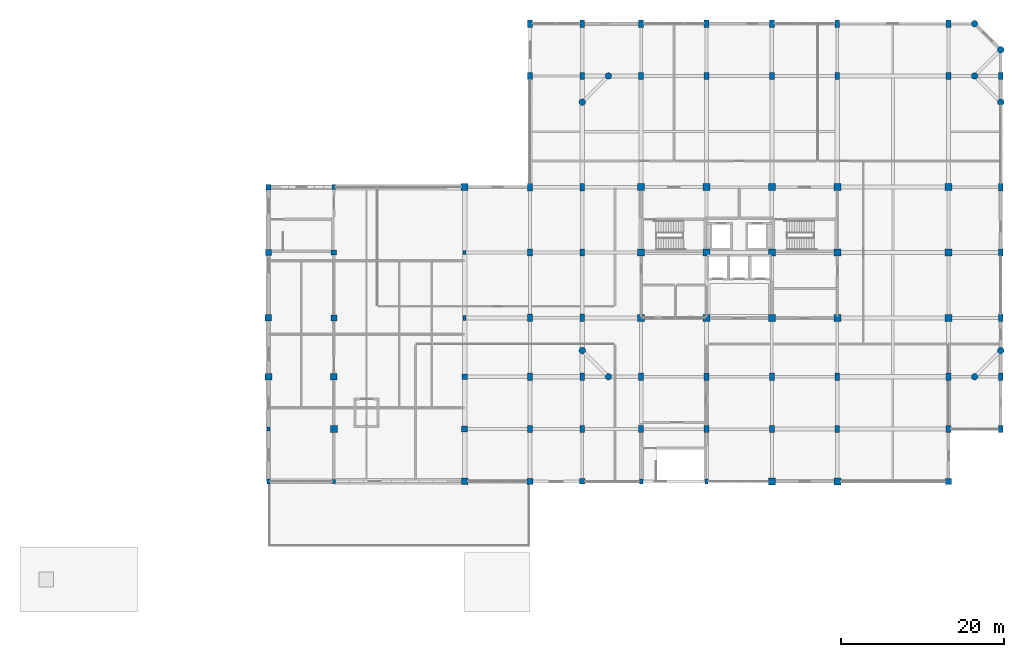
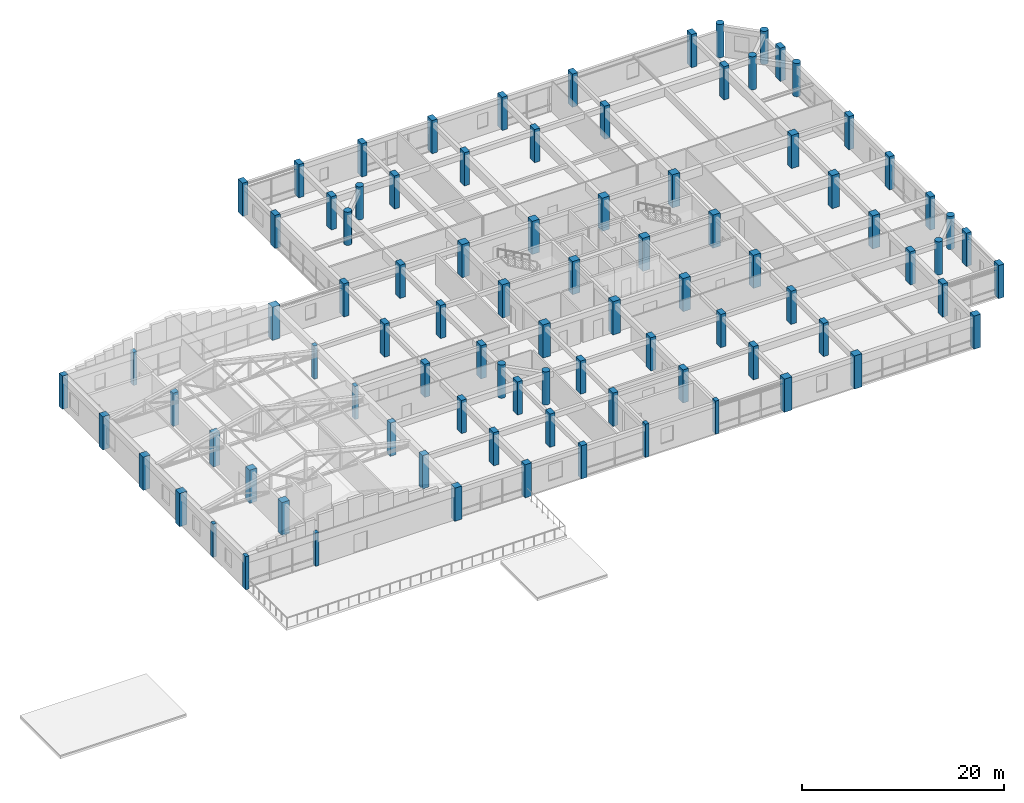
# One storey, part 1 of 27: 90 columns.
"""IFC4 building model written with IfcOpenShell, lengths in metres."""

from ifc_helpers import new_model, si_unit, direction, frame, origin, origin_2d, place, context, subcontext, project, spatial, rectangle, circle, extrude, material, material_profile, profile_set, type_object, element, save


model = new_model("IFC4")

# Units and contexts
model_context = context("Model", 3, precision=1e-05, world=origin(), true_north=direction((0.0, 1.0)))
body_context = subcontext(model_context, "Body", "Model", "MODEL_VIEW")
ifc_project = project(units=[si_unit("LENGTHUNIT", "METRE"), si_unit("AREAUNIT", "SQUARE_METRE"), si_unit("VOLUMEUNIT", "CUBIC_METRE"), si_unit("PLANEANGLEUNIT", "RADIAN"), si_unit("MASSUNIT", "GRAM", prefix="KILO")], contexts=[model_context])

# Site, building, storey
site_placement = place(None, origin())
site = spatial("IfcSite", under=ifc_project, at=site_placement, CompositionType="ELEMENT")
building_placement = place(site_placement, origin())
building = spatial("IfcBuilding", under=site, at=building_placement, Name="Vellmiral Cinema and Media Centre", CompositionType="ELEMENT")
storey_placement = place(building_placement, frame((0.0, 0.0, 19.800048828125)))
storey = spatial("IfcBuildingStorey", under=building, at=storey_placement, Name="L04", CompositionType="ELEMENT", Elevation=19.800048828125)

# Columns
ifc_material_1 = material(Name="Concrete C40/50", Category="concrete")
ifc_material_profile_1 = material_profile(ifc_material_1, rectangle(XDim=0.39990234375, YDim=0.5, at=origin_2d()), Name="RC 400x500")
ifc_profile_set_1 = profile_set([ifc_material_profile_1], Name="Concrete C40/50")
column_type_1 = type_object("IfcColumnType", Name="COL-RC-400x500", PredefinedType="COLUMN", material=ifc_profile_set_1)
for number, where, z_axis, x_axis, name in (
    (1, (78.39990234375, 65.60009765625, 0.0), (0.0, 0.0, 1.0), (1.0, 0.0, 0.0), "Column L04-002"),
    (2, (86.39990234375, 59.199951171875, 0.0), (0.0, 0.0, 1.0), (1.0, 0.0, 0.0), "Column L04-007"),
    (3, (102.39990234375, 87.199951171875, 0.0), (0.0, 0.0, 1.0), (1.0, 0.0, 0.0), "Column L04-017"),
):
    element("IfcColumn", number, at=place(storey_placement, frame(where, z_axis=z_axis, x_axis=x_axis)), inside=storey, type_object=column_type_1, Name=name, PredefinedType="COLUMN", context=body_context, shape_type="SweptSolid", body=[
        extrude(rectangle(XDim=0.39990234375, YDim=0.5, at=origin_2d()), origin(), (0.0, 0.0, 1.0), 4.0),
    ])
ifc_material_2 = material(Name="Concrete C40/50", Category="concrete")
ifc_material_profile_2 = material_profile(ifc_material_2, rectangle(XDim=0.39990234375, YDim=0.60009765625, at=origin_2d()), Name="RC 400x600")
ifc_profile_set_2 = profile_set([ifc_material_profile_2], Name="Concrete C40/50")
column_type_2 = type_object("IfcColumnType", Name="COL-RC-400x600", PredefinedType="COLUMN", material=ifc_profile_set_2)
for number, where, z_axis, x_axis, name in (
    (4, (78.39990234375, 59.199951171875, 0.0), (0.0, 0.0, 1.0), (1.0, 0.0, 0.0), "Column L04-001"),
    (5, (86.39990234375, 95.199951171875, 0.0), (0.0, 0.0, 1.0), (1.0, 0.0, 0.0), "Column L04-012"),
    (6, (102.39990234375, 79.199951171875, 0.0), (0.0, 0.0, 1.0), (1.0, 0.0, 0.0), "Column L04-016"),
    (7, (124.0, 59.199951171875, 0.0), (0.0, 0.0, 1.0), (1.0, 0.0, 0.0), "Column L04-039"),
    (8, (132.0, 59.199951171875, 0.0), (0.0, 0.0, 1.0), (1.0, 0.0, 0.0), "Column L04-047"),
):
    element("IfcColumn", number, at=place(storey_placement, frame(where, z_axis=z_axis, x_axis=x_axis)), inside=storey, type_object=column_type_2, Name=name, PredefinedType="COLUMN", context=body_context, shape_type="SweptSolid", body=[
        extrude(rectangle(XDim=0.39990234375, YDim=0.60009765625, at=origin_2d()), origin(), (0.0, 0.0, 1.0), 4.0),
    ])
ifc_material_3 = material(Name="Concrete C40/50", Category="concrete")
ifc_material_profile_3 = material_profile(ifc_material_3, rectangle(XDim=0.60009765625, YDim=0.89990234375, at=origin_2d()), Name="RC 600x900")
ifc_profile_set_3 = profile_set([ifc_material_profile_3], Name="Concrete C40/50")
column_type_3 = type_object("IfcColumnType", Name="COL-RC-600x900", PredefinedType="COLUMN", material=ifc_profile_set_3)
for number, where, z_axis, x_axis, name in (
    (9, (110.39990234375, 65.60009765625, 0.0), (0.0, 0.0, 1.0), (1.0, 0.0, 0.0), "Column L04-020"),
    (10, (110.39990234375, 72.0, 0.0), (0.0, 0.0, 1.0), (1.0, 0.0, 0.0), "Column L04-021"),
    (11, (110.39990234375, 79.199951171875, 0.0), (0.0, 0.0, 1.0), (1.0, 0.0, 0.0), "Column L04-022"),
    (12, (110.39990234375, 87.199951171875, 0.0), (0.0, 0.0, 1.0), (1.0, 0.0, 0.0), "Column L04-023"),
    (13, (110.39990234375, 95.199951171875, 0.0), (0.0, 0.0, 1.0), (1.0, 0.0, 0.0), "Column L04-024"),
    (14, (110.39990234375, 108.800048828125, 0.0), (0.0, 0.0, 1.0), (1.0, 0.0, 0.0), "Column L04-025"),
    (15, (110.39990234375, 115.199951171875, 0.0), (0.0, 0.0, 1.0), (1.0, 0.0, 0.0), "Column L04-026"),
    (16, (116.800048828125, 65.60009765625, 0.0), (0.0, 0.0, 1.0), (1.0, 0.0, 0.0), "Column L04-028"),
    (17, (116.800048828125, 72.0, 0.0), (0.0, 0.0, 1.0), (1.0, 0.0, 0.0), "Column L04-029"),
    (18, (116.800048828125, 79.199951171875, 0.0), (0.0, 0.0, 1.0), (1.0, 0.0, 0.0), "Column L04-031"),
    (19, (116.800048828125, 87.199951171875, 0.0), (0.0, 0.0, 1.0), (1.0, 0.0, 0.0), "Column L04-032"),
    (20, (116.800048828125, 95.199951171875, 0.0), (0.0, 0.0, 1.0), (1.0, 0.0, 0.0), "Column L04-033"),
    (21, (116.800048828125, 108.800048828125, 0.0), (0.0, 0.0, 1.0), (1.0, 0.0, 0.0), "Column L04-035"),
    (22, (116.800048828125, 115.199951171875, 0.0), (0.0, 0.0, 1.0), (1.0, 0.0, 0.0), "Column L04-036"),
    (23, (124.0, 65.60009765625, 0.0), (0.0, 0.0, 1.0), (1.0, 0.0, 0.0), "Column L04-040"),
    (24, (124.0, 72.0, 0.0), (0.0, 0.0, 1.0), (1.0, 0.0, 0.0), "Column L04-041"),
    (25, (124.0, 108.800048828125, 0.0), (0.0, 0.0, 1.0), (1.0, 0.0, 0.0), "Column L04-045"),
    (26, (124.0, 115.199951171875, 0.0), (0.0, 0.0, 1.0), (1.0, 0.0, 0.0), "Column L04-046"),
    (27, (132.0, 65.60009765625, 0.0), (0.0, 0.0, 1.0), (1.0, 0.0, 0.0), "Column L04-048"),
    (28, (132.0, 72.0, 0.0), (0.0, 0.0, 1.0), (1.0, 0.0, 0.0), "Column L04-049"),
    (29, (132.0, 108.800048828125, 0.0), (0.0, 0.0, 1.0), (1.0, 0.0, 0.0), "Column L04-053"),
    (30, (132.0, 115.199951171875, 0.0), (0.0, 0.0, 1.0), (1.0, 0.0, 0.0), "Column L04-054"),
    (31, (140.0, 65.60009765625, 0.0), (0.0, 0.0, 1.0), (1.0, 0.0, 0.0), "Column L04-056"),
    (32, (140.0, 72.0, 0.0), (0.0, 0.0, 1.0), (1.0, 0.0, 0.0), "Column L04-057"),
    (33, (140.0, 108.800048828125, 0.0), (0.0, 0.0, 1.0), (1.0, 0.0, 0.0), "Column L04-061"),
    (34, (140.0, 115.199951171875, 0.0), (0.0, 0.0, 1.0), (1.0, 0.0, 0.0), "Column L04-062"),
    (35, (148.0, 65.60009765625, 0.0), (0.0, 0.0, 1.0), (1.0, 0.0, 0.0), "Column L04-064"),
    (36, (148.0, 72.0, 0.0), (0.0, 0.0, 1.0), (1.0, 0.0, 0.0), "Column L04-065"),
    (37, (148.0, 108.800048828125, 0.0), (0.0, 0.0, 1.0), (1.0, 0.0, 0.0), "Column L04-069"),
    (38, (148.0, 115.199951171875, 0.0), (0.0, 0.0, 1.0), (1.0, 0.0, 0.0), "Column L04-070"),
    (39, (161.60009765625, 65.60009765625, 0.0), (0.0, 0.0, 1.0), (1.0, 0.0, 0.0), "Column L04-072"),
    (40, (161.60009765625, 72.0, 0.0), (0.0, 0.0, 1.0), (1.0, 0.0, 0.0), "Column L04-073"),
    (41, (161.60009765625, 108.800048828125, 0.0), (0.0, 0.0, 1.0), (1.0, 0.0, 0.0), "Column L04-077"),
    (42, (161.60009765625, 115.199951171875, 0.0), (0.0, 0.0, 1.0), (1.0, 0.0, 0.0), "Column L04-078"),
    (43, (168.0, 65.60009765625, 0.0), (0.0, 0.0, 1.0), (1.0, 0.0, 0.0), "Column L04-082"),
    (44, (168.0, 72.0, 0.0), (0.0, 0.0, 1.0), (1.0, 0.0, 0.0), "Column L04-083"),
    (45, (168.0, 79.199951171875, 0.0), (0.0, 0.0, 1.0), (1.0, 0.0, 0.0), "Column L04-085"),
    (46, (168.0, 87.199951171875, 0.0), (0.0, 0.0, 1.0), (1.0, 0.0, 0.0), "Column L04-086"),
    (47, (168.0, 95.199951171875, 0.0), (0.0, 0.0, 1.0), (1.0, 0.0, 0.0), "Column L04-087"),
    (48, (168.0, 108.800048828125, 0.0), (0.0, 0.0, 1.0), (1.0, 0.0, 0.0), "Column L04-089"),
):
    element("IfcColumn", number, at=place(storey_placement, frame(where, z_axis=z_axis, x_axis=x_axis)), inside=storey, type_object=column_type_3, Name=name, PredefinedType="COLUMN", context=body_context, shape_type="SweptSolid", body=[
        extrude(rectangle(XDim=0.60009765625, YDim=0.89990234375, at=origin_2d()), origin(), (0.0, 0.0, 1.0), 4.0),
    ])
ifc_material_4 = material(Name="Concrete C40/50", Category="concrete")
ifc_material_profile_4 = material_profile(ifc_material_4, rectangle(XDim=0.64990234375, YDim=0.64990234375, at=origin_2d()), Name="RC 650x650")
ifc_profile_set_4 = profile_set([ifc_material_profile_4], Name="Concrete C40/50")
column_type_4 = type_object("IfcColumnType", Name="COL-RC-650x650", PredefinedType="COLUMN", material=ifc_profile_set_4)
for number, where, z_axis, x_axis, name in (
    (49, (78.39990234375, 95.199951171875, 0.0), (0.0, 0.0, 1.0), (1.0, 0.0, 0.0), "Column L04-006"),
    (50, (86.39990234375, 87.199951171875, 0.0), (0.0, 0.0, 1.0), (1.0, 0.0, 0.0), "Column L04-011"),
    (51, (102.39990234375, 72.0, 0.0), (0.0, 0.0, 1.0), (1.0, 0.0, 0.0), "Column L04-015"),
    (52, (116.800048828125, 59.199951171875, 0.0), (0.0, 0.0, 1.0), (1.0, 0.0, 0.0), "Column L04-027"),
):
    element("IfcColumn", number, at=place(storey_placement, frame(where, z_axis=z_axis, x_axis=x_axis)), inside=storey, type_object=column_type_4, Name=name, PredefinedType="COLUMN", context=body_context, shape_type="SweptSolid", body=[
        extrude(rectangle(XDim=0.64990234375, YDim=0.64990234375, at=origin_2d()), origin(), (0.0, 0.0, 1.0), 4.0),
    ])
ifc_material_5 = material(Name="Concrete C40/50", Category="concrete")
ifc_material_profile_5 = material_profile(ifc_material_5, rectangle(XDim=0.75, YDim=0.75, at=origin_2d()), Name="RC 750x750")
ifc_profile_set_5 = profile_set([ifc_material_profile_5], Name="Concrete C40/50")
column_type_5 = type_object("IfcColumnType", Name="COL-RC-750x750", PredefinedType="COLUMN", material=ifc_profile_set_5)
for number, where, z_axis, x_axis, name in (
    (53, (78.39990234375, 87.199951171875, 0.0), (0.0, 0.0, 1.0), (1.0, 0.0, 0.0), "Column L04-005"),
    (54, (86.39990234375, 79.199951171875, 0.0), (0.0, 0.0, 1.0), (1.0, 0.0, 0.0), "Column L04-010"),
    (55, (102.39990234375, 65.60009765625, 0.0), (0.0, 0.0, 1.0), (1.0, 0.0, 0.0), "Column L04-014"),
    (56, (110.39990234375, 59.199951171875, 0.0), (0.0, 0.0, 1.0), (1.0, 0.0, 0.0), "Column L04-019"),
    (57, (161.60009765625, 59.199951171875, 0.0), (0.0, 0.0, 1.0), (1.0, 0.0, 0.0), "Column L04-071"),
):
    element("IfcColumn", number, at=place(storey_placement, frame(where, z_axis=z_axis, x_axis=x_axis)), inside=storey, type_object=column_type_5, Name=name, PredefinedType="COLUMN", context=body_context, shape_type="SweptSolid", body=[
        extrude(rectangle(XDim=0.75, YDim=0.75, at=origin_2d()), origin(), (0.0, 0.0, 1.0), 4.0),
    ])
ifc_material_6 = material(Name="Concrete C40/50", Category="concrete")
ifc_material_profile_6 = material_profile(ifc_material_6, rectangle(XDim=0.800048828125, YDim=0.800048828125, at=origin_2d()), Name="RC 800x800")
ifc_profile_set_6 = profile_set([ifc_material_profile_6], Name="Concrete C40/50")
column_type_6 = type_object("IfcColumnType", Name="COL-RC-800x800", PredefinedType="COLUMN", material=ifc_profile_set_6)
for number, where, z_axis, x_axis, name in (
    (58, (78.39990234375, 79.199951171875, 0.0), (0.0, 0.0, 1.0), (1.0, 0.0, 0.0), "Column L04-004"),
    (59, (86.39990234375, 72.0, 0.0), (0.0, 0.0, 1.0), (1.0, 0.0, 0.0), "Column L04-009"),
    (60, (102.39990234375, 59.199951171875, 0.0), (0.0, 0.0, 1.0), (1.0, 0.0, 0.0), "Column L04-013"),
):
    element("IfcColumn", number, at=place(storey_placement, frame(where, z_axis=z_axis, x_axis=x_axis)), inside=storey, type_object=column_type_6, Name=name, PredefinedType="COLUMN", context=body_context, shape_type="SweptSolid", body=[
        extrude(rectangle(XDim=0.800048828125, YDim=0.800048828125, at=origin_2d()), origin(), (0.0, 0.0, 1.0), 4.0),
    ])
ifc_material_7 = material(Name="Concrete C40/50", Category="concrete")
ifc_material_profile_7 = material_profile(ifc_material_7, rectangle(XDim=0.85009765625, YDim=0.85009765625, at=origin_2d()), Name="RC 850x850")
ifc_profile_set_7 = profile_set([ifc_material_profile_7], Name="Concrete C40/50")
column_type_7 = type_object("IfcColumnType", Name="COL-RC-850x850", PredefinedType="COLUMN", material=ifc_profile_set_7)
for number, where, z_axis, x_axis, name in (
    (61, (78.39990234375, 72.0, 0.0), (0.0, 0.0, 1.0), (1.0, 0.0, 0.0), "Column L04-003"),
    (62, (86.39990234375, 65.60009765625, 0.0), (0.0, 0.0, 1.0), (1.0, 0.0, 0.0), "Column L04-008"),
    (63, (102.39990234375, 95.199951171875, 0.0), (0.0, 0.0, 1.0), (1.0, 0.0, 0.0), "Column L04-018"),
    (64, (124.0, 79.199951171875, 0.0), (0.0, 0.0, 1.0), (1.0, 0.0, 0.0), "Column L04-042"),
    (65, (124.0, 87.199951171875, 0.0), (0.0, 0.0, 1.0), (1.0, 0.0, 0.0), "Column L04-043"),
    (66, (124.0, 95.199951171875, 0.0), (0.0, 0.0, 1.0), (1.0, 0.0, 0.0), "Column L04-044"),
    (67, (132.0, 79.199951171875, 0.0), (0.0, 0.0, 1.0), (1.0, 0.0, 0.0), "Column L04-050"),
    (68, (132.0, 87.199951171875, 0.0), (0.0, 0.0, 1.0), (1.0, 0.0, 0.0), "Column L04-051"),
    (69, (132.0, 95.199951171875, 0.0), (0.0, 0.0, 1.0), (1.0, 0.0, 0.0), "Column L04-052"),
    (70, (140.0, 59.199951171875, 0.0), (0.0, 0.0, 1.0), (1.0, 0.0, 0.0), "Column L04-055"),
    (71, (140.0, 79.199951171875, 0.0), (0.0, 0.0, 1.0), (1.0, 0.0, 0.0), "Column L04-058"),
    (72, (140.0, 87.199951171875, 0.0), (0.0, 0.0, 1.0), (1.0, 0.0, 0.0), "Column L04-059"),
    (73, (140.0, 95.199951171875, 0.0), (0.0, 0.0, 1.0), (1.0, 0.0, 0.0), "Column L04-060"),
    (74, (148.0, 59.199951171875, 0.0), (0.0, 0.0, 1.0), (1.0, 0.0, 0.0), "Column L04-063"),
    (75, (148.0, 79.199951171875, 0.0), (0.0, 0.0, 1.0), (1.0, 0.0, 0.0), "Column L04-066"),
    (76, (148.0, 87.199951171875, 0.0), (0.0, 0.0, 1.0), (1.0, 0.0, 0.0), "Column L04-067"),
    (77, (148.0, 95.199951171875, 0.0), (0.0, 0.0, 1.0), (1.0, 0.0, 0.0), "Column L04-068"),
    (78, (161.60009765625, 79.199951171875, 0.0), (0.0, 0.0, 1.0), (1.0, 0.0, 0.0), "Column L04-074"),
    (79, (161.60009765625, 87.199951171875, 0.0), (0.0, 0.0, 1.0), (1.0, 0.0, 0.0), "Column L04-075"),
    (80, (161.60009765625, 95.199951171875, 0.0), (0.0, 0.0, 1.0), (1.0, 0.0, 0.0), "Column L04-076"),
):
    element("IfcColumn", number, at=place(storey_placement, frame(where, z_axis=z_axis, x_axis=x_axis)), inside=storey, type_object=column_type_7, Name=name, PredefinedType="COLUMN", context=body_context, shape_type="SweptSolid", body=[
        extrude(rectangle(XDim=0.85009765625, YDim=0.85009765625, at=origin_2d()), origin(), (0.0, 0.0, 1.0), 4.0),
    ])
ifc_material_8 = material(Name="Concrete C40/50", Category="concrete")
ifc_material_profile_8 = material_profile(ifc_material_8, circle(Radius=0.39990234375, at=origin_2d()), Name="RC D800")
ifc_profile_set_8 = profile_set([ifc_material_profile_8], Name="Concrete C40/50")
column_type_8 = type_object("IfcColumnType", Name="COL-RCC-D800", PredefinedType="COLUMN", material=ifc_profile_set_8)
for number, where, z_axis, x_axis, name in (
    (81, (116.800048828125, 75.199951171875, 0.0), (0.0, 0.0, 1.0), (1.0, 0.0, 0.0), "Column L04-030"),
    (82, (116.800048828125, 105.60009765625, 0.0), (0.0, 0.0, 1.0), (1.0, 0.0, 0.0), "Column L04-034"),
    (83, (120.0, 72.0, 0.0), (0.0, 0.0, 1.0), (1.0, 0.0, 0.0), "Column L04-037"),
    (84, (120.0, 108.800048828125, 0.0), (0.0, 0.0, 1.0), (1.0, 0.0, 0.0), "Column L04-038"),
    (85, (164.800048828125, 72.0, 0.0), (0.0, 0.0, 1.0), (1.0, 0.0, 0.0), "Column L04-079"),
    (86, (164.800048828125, 108.800048828125, 0.0), (0.0, 0.0, 1.0), (1.0, 0.0, 0.0), "Column L04-080"),
    (87, (164.800048828125, 115.199951171875, 0.0), (0.0, 0.0, 1.0), (1.0, 0.0, 0.0), "Column L04-081"),
    (88, (168.0, 75.199951171875, 0.0), (0.0, 0.0, 1.0), (1.0, 0.0, 0.0), "Column L04-084"),
    (89, (168.0, 105.60009765625, 0.0), (0.0, 0.0, 1.0), (1.0, 0.0, 0.0), "Column L04-088"),
    (90, (168.0, 112.0, 0.0), (0.0, 0.0, 1.0), (1.0, 0.0, 0.0), "Column L04-090"),
):
    element("IfcColumn", number, at=place(storey_placement, frame(where, z_axis=z_axis, x_axis=x_axis)), inside=storey, type_object=column_type_8, Name=name, PredefinedType="COLUMN", context=body_context, shape_type="SweptSolid", body=[
        extrude(circle(Radius=0.39990234375, at=origin_2d()), origin(), (0.0, 0.0, 1.0), 4.0),
    ])

save(model, "model.ifc")
